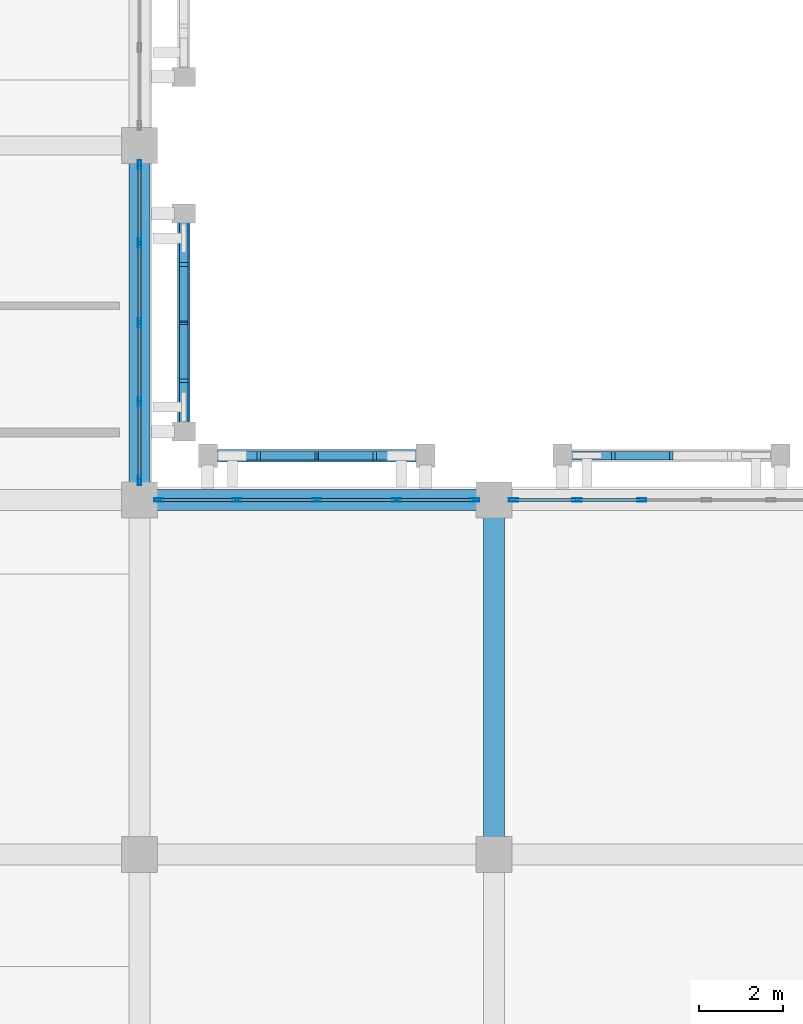
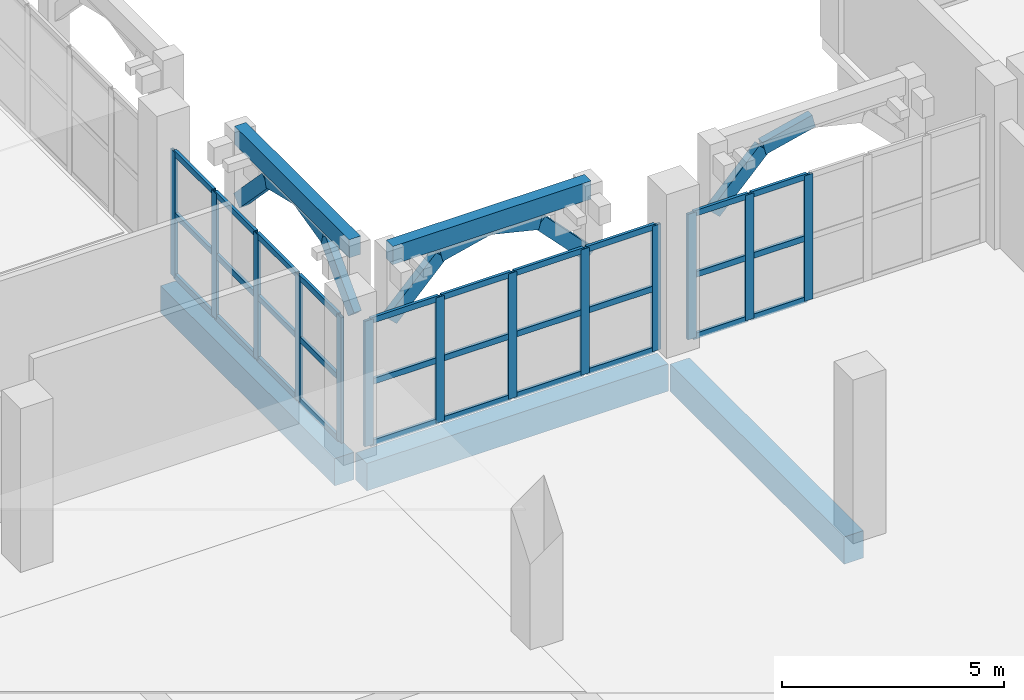
# One storey, part 54 of 137: 53 members, 5 beams, 3 elements without a shape of their own.
"""IFC4 building model written with IfcOpenShell, lengths in metres."""

import ifcopenshell
import ifcopenshell.guid

model = None  # the IFC model being written
_history = None  # IfcOwnerHistory: only IFC2X3 demands one
_inside = {}  # id of a spatial element -> (the spatial element, [elements in it])
_under = {}  # id of a project, library or spatial element -> (it, [spatial elements below it])
_declared = {}  # id of a project -> (the project, [libraries it declares])
_typed = {}  # id of a type object -> (the type object, [elements of that type])
_made_of = {}  # id of a material, layer set ... -> (it, [elements and type objects made of it])


def new_model(schema):
    """Start an empty IFC model of exactly this schema.

    Asked for "IFC4X3", IfcOpenShell would pick the latest addendum, in which some entities
    have other attributes; the version numbers below select the first issue.
    IFC2X3 requires an IfcOwnerHistory on every rooted entity: one is made here for all.
    """
    global model, _history
    if schema == "IFC4X3":
        model = ifcopenshell.file(schema_version=(4, 3, 0, 0))
    else:
        model = ifcopenshell.file(schema=schema)
    _inside.clear()
    _under.clear()
    _declared.clear()
    _typed.clear()
    _made_of.clear()
    _history = None
    if model.schema == "IFC2X3":
        org = make("IfcOrganization", Name="unknown")
        user = make(
            "IfcPersonAndOrganization",
            ThePerson=make("IfcPerson", FamilyName="unknown"),
            TheOrganization=org,
        )
        app = make(
            "IfcApplication",
            ApplicationDeveloper=org,
            Version="unknown",
            ApplicationFullName="unknown",
            ApplicationIdentifier="unknown",
        )
        _history = make(
            "IfcOwnerHistory",
            OwningUser=user,
            OwningApplication=app,
            ChangeAction="ADDED",
            CreationDate=0,
        )
    return model


def make(cls, **values):
    """One entity of the class cls with the attributes given. An attribute that is None is left unset."""
    return model.create_entity(
        cls, **{name: value for name, value in values.items() if value is not None}
    )


def rooted(cls, **values):
    """An entity with a GlobalId (a new one), such as an element, a storey or a relation."""
    return make(cls, GlobalId=ifcopenshell.guid.new(), OwnerHistory=_history, **values)


def si_unit(unit_type, name, prefix=None):
    """IfcSIUnit, for example si_unit("LENGTHUNIT", "METRE", prefix="MILLI")."""
    return make("IfcSIUnit", UnitType=unit_type, Prefix=prefix, Name=name)


def assignment(units):
    """IfcUnitAssignment: the units of a project."""
    return None if units is None else make("IfcUnitAssignment", Units=units)


def point(xyz):
    """IfcCartesianPoint."""
    return None if xyz is None else make("IfcCartesianPoint", Coordinates=xyz)


def direction(xyz):
    """IfcDirection."""
    return None if xyz is None else make("IfcDirection", DirectionRatios=xyz)


def frame(location, z_axis=None, x_axis=None):
    """IfcAxis2Placement3D, a coordinate frame: its origin and axes. An axis left out is left unset."""
    return make(
        "IfcAxis2Placement3D",
        Location=point(location),
        Axis=direction(z_axis),
        RefDirection=direction(x_axis),
    )


def frame_2d(location, x_axis=None):
    """IfcAxis2Placement2D, a coordinate frame in the plane: its origin and x axis."""
    return make(
        "IfcAxis2Placement2D", Location=point(location), RefDirection=direction(x_axis)
    )


def origin():
    """The frame at (0, 0, 0) with its axes left unset."""
    return frame((0.0, 0.0, 0.0))


def origin_2d():
    """The frame at (0, 0) in the plane with its x axis left unset."""
    return frame_2d((0.0, 0.0))


def place(relative_to, where):
    """IfcLocalPlacement: puts the frame where relative to a parent placement (None: the world)."""
    return make(
        "IfcLocalPlacement", PlacementRelTo=relative_to, RelativePlacement=where
    )


def context(
    kind, dimensions, precision=None, world=None, true_north=None, identifier=None
):
    """IfcGeometricRepresentationContext, for example the 3D "Model" context."""
    return make(
        "IfcGeometricRepresentationContext",
        ContextIdentifier=identifier,
        ContextType=kind,
        CoordinateSpaceDimension=dimensions,
        Precision=precision,
        WorldCoordinateSystem=world,
        TrueNorth=true_north,
    )


def subcontext(parent, identifier, kind, view, scale=None):
    """IfcGeometricRepresentationSubContext, for example "Body" below "Model"."""
    return make(
        "IfcGeometricRepresentationSubContext",
        ContextIdentifier=identifier,
        ContextType=kind,
        ParentContext=parent,
        TargetScale=scale,
        TargetView=view,
    )


def project(units=None, contexts=None):
    """IfcProject with its units and contexts."""
    return rooted(
        "IfcProject",
        Name="project",
        RepresentationContexts=contexts,
        UnitsInContext=assignment(units),
    )


def spatial(cls, under=None, at=None, **own):
    """A site, building, storey or space (cls), placed at a placement, below another one or the project."""
    s = rooted(cls, ObjectPlacement=at, **own)
    if under is not None:
        _under.setdefault(under.id(), (under, []))[1].append(s)
    return s


def profile(cls, at=None, kind="AREA", **sizes):
    """A parametric profile (cls). Its sizes go by their IFC names, for example OverallWidth=200.0."""
    return make(cls, ProfileType=kind, Position=at, **sizes)


def rectangle(**sizes):
    """IfcRectangleProfileDef."""
    return profile("IfcRectangleProfileDef", **sizes)


def hollow_rectangle(**sizes):
    """IfcRectangleHollowProfileDef."""
    return profile("IfcRectangleHollowProfileDef", **sizes)


def extrude(swept, where, along, depth):
    """IfcExtrudedAreaSolid: the profile swept, set in the frame where, extruded along a direction by depth."""
    return make(
        "IfcExtrudedAreaSolid",
        SweptArea=swept,
        Position=where,
        ExtrudedDirection=direction(along),
        Depth=depth,
    )


def shape(context_of_items, identifier, shape_type, items):
    """IfcShapeRepresentation: the items that make up one representation, for example the "Body"."""
    return make(
        "IfcShapeRepresentation",
        ContextOfItems=context_of_items,
        RepresentationIdentifier=identifier,
        RepresentationType=shape_type,
        Items=items,
    )


def material(Name=None, Category=None):
    """IfcMaterial."""
    return make("IfcMaterial", Name=Name, Category=Category)


def layer(
    of_material, thickness, ventilated=None, Name=None, Category=None, Priority=None
):
    """IfcMaterialLayer: one layer of a wall or slab, of a material (None: an air gap)."""
    return make(
        "IfcMaterialLayer",
        Material=of_material,
        LayerThickness=thickness,
        IsVentilated=ventilated,
        Name=Name,
        Category=Category,
        Priority=Priority,
    )


def layer_set(layers, Name=None):
    """IfcMaterialLayerSet."""
    return make("IfcMaterialLayerSet", MaterialLayers=layers, LayerSetName=Name)


def material_profile(
    of_material, cross_section, Name=None, Category=None, Priority=None
):
    """IfcMaterialProfile: a cross section and its material."""
    return make(
        "IfcMaterialProfile",
        Name=Name,
        Material=of_material,
        Profile=cross_section,
        Priority=Priority,
        Category=Category,
    )


def profile_set(profiles, Name=None, composite=None):
    """IfcMaterialProfileSet."""
    return make(
        "IfcMaterialProfileSet",
        Name=Name,
        MaterialProfiles=profiles,
        CompositeProfile=composite,
    )


def made_of(thing, what):
    """Note that an element or type object is made of a material, layer set ...; save() writes the relation."""
    if what is not None:
        _made_of.setdefault(what.id(), (what, []))[1].append(thing)
    return thing


def type_object(cls, material=None, **own):
    """A type object (cls), such as IfcWallType, which elements share."""
    return made_of(rooted(cls, **own), material)


def element(
    cls,
    number,
    at=None,
    inside=None,
    cuts=None,
    type_object=None,
    material=None,
    context=None,
    identifier="Body",
    shape_type=None,
    held_by="IfcProductDefinitionShape",
    body=None,
    shapes=None,
    **own,
):
    """One element of the class cls, such as IfcWall. Its Tag is "e" and its number.

    at: its placement. inside: the storey or other place that contains it. cuts: it is an
    opening in that element (IfcRelVoidsElement). A single representation is given by context,
    identifier, shape_type and body (its items); several are given by shapes. held_by: the class
    of the entity that holds the representations. save() writes the other relations.
    """
    e = rooted(cls, Tag="e%d" % number, ObjectPlacement=at, **own)
    if body is not None:
        shapes = [shape(context, identifier, shape_type, body)]
    if shapes is not None:
        e.Representation = make(held_by, Representations=shapes)
    if inside is not None:
        _inside.setdefault(inside.id(), (inside, []))[1].append(e)
    if cuts is not None:
        rooted(
            "IfcRelVoidsElement", RelatingBuildingElement=cuts, RelatedOpeningElement=e
        )
    if type_object is not None:
        _typed.setdefault(type_object.id(), (type_object, []))[1].append(e)
    return made_of(e, material)


def aggregate(whole, parts):
    """IfcRelAggregates: a whole, such as a stair, and the parts it consists of."""
    return rooted("IfcRelAggregates", RelatingObject=whole, RelatedObjects=parts)


def save(model, path):
    """Write the relations noted so far, then the file.

    IfcRelAggregates (storeys below a building ...), IfcRelContainedInSpatialStructure (elements
    in a storey), IfcRelDefinesByType, IfcRelAssociatesMaterial and IfcRelDeclares: one each for
    every whole, place, type object, material and project.
    """
    for whole, parts in _under.values():
        aggregate(whole, parts)
    for where, things in _inside.values():
        rooted(
            "IfcRelContainedInSpatialStructure",
            RelatedElements=things,
            RelatingStructure=where,
        )
    for kind, things in _typed.values():
        rooted("IfcRelDefinesByType", RelatedObjects=things, RelatingType=kind)
    for what, things in _made_of.values():
        rooted("IfcRelAssociatesMaterial", RelatedObjects=things, RelatingMaterial=what)
    for by, libraries in _declared.values():
        rooted("IfcRelDeclares", RelatingContext=by, RelatedDefinitions=libraries)
    model.write(path)


model = new_model("IFC4")

# Units and contexts
model_context = context("Model", 3, precision=1e-05, world=origin(), true_north=direction((0.0, 1.0)))
body_context = subcontext(model_context, "Body", "Model", "MODEL_VIEW")
ifc_project = project(units=[si_unit("LENGTHUNIT", "METRE"), si_unit("AREAUNIT", "SQUARE_METRE"), si_unit("VOLUMEUNIT", "CUBIC_METRE"), si_unit("PLANEANGLEUNIT", "RADIAN"), si_unit("MASSUNIT", "GRAM", prefix="KILO")], contexts=[model_context])

# Site, building, storey
site_placement = place(None, origin())
site = spatial("IfcSite", under=ifc_project, at=site_placement, CompositionType="ELEMENT")
building_placement = place(site_placement, origin())
building = spatial("IfcBuilding", under=site, at=building_placement, Name="Xazarin Passage Department Store", CompositionType="ELEMENT")
storey_placement = place(building_placement, frame((0.0, 0.0, 5.39990234375)))
storey = spatial("IfcBuildingStorey", under=building, at=storey_placement, Name="L01", CompositionType="ELEMENT", Elevation=5.39990234375)

# Curtain wall, members
ifc_material_1 = material(Name="Bronze anodised aluminium", Category="aluminium")
ifc_layer = layer(ifc_material_1, 0.179931640625)
ifc_layer_set = layer_set([ifc_layer], Name="Bronze anodised aluminium")
curtain_wall_type = type_object("IfcCurtainWallType", Name="ARC-CW-VIT1", PredefinedType="NOTDEFINED", material=ifc_layer_set)
curtain_wall_1_placement = place(storey_placement, origin())
curtain_wall_1 = element("IfcCurtainWall", 1, at=curtain_wall_1_placement, inside=storey, type_object=curtain_wall_type, Name="L01 V1 Curtain Wall 010", PredefinedType="NOTDEFINED")
ifc_material_profile_1 = material_profile(ifc_material_1, hollow_rectangle(XDim=0.074951171875, YDim=0.219970703125, WallThickness=0.0048828125, at=origin_2d()), Name="ALU 75x220")
ifc_profile_set_1 = profile_set([ifc_material_profile_1], Name="Bronze anodised aluminium")
member_type_1 = type_object("IfcMemberType", Name="ARC-CWM-75x220", PredefinedType="MULLION", material=ifc_profile_set_1)
member_1_placement = place(storey_placement, frame((50.862548828125, 84.800048828125, 0.0), z_axis=(0.0, 0.0, 1.0), x_axis=(0.0, 1.0, 0.0)))
member_1 = element("IfcMember", 2, at=member_1_placement, type_object=member_type_1, Name="CW1 mullion 1", PredefinedType="MULLION", context=body_context, shape_type="SweptSolid", body=[
    extrude(hollow_rectangle(XDim=0.074951171875, YDim=0.219970703125, WallThickness=0.0048828125, at=origin_2d()), origin(), (0.0, 0.0, 1.0), 3.4501953125),
])
member_2_placement = place(storey_placement, frame((52.71240234375, 84.800048828125, 0.0), z_axis=(0.0, 0.0, 1.0), x_axis=(0.0, 1.0, 0.0)))
member_2 = element("IfcMember", 3, at=member_2_placement, type_object=member_type_1, Name="CW1 mullion 2", PredefinedType="MULLION", context=body_context, shape_type="SweptSolid", body=[
    extrude(hollow_rectangle(XDim=0.074951171875, YDim=0.219970703125, WallThickness=0.0048828125, at=origin_2d()), origin(), (0.0, 0.0, 1.0), 3.4501953125),
])
member_3_placement = place(storey_placement, frame((54.60009765625, 84.800048828125, 0.0), z_axis=(0.0, 0.0, 1.0), x_axis=(0.0, 1.0, 0.0)))
member_3 = element("IfcMember", 4, at=member_3_placement, type_object=member_type_1, Name="CW1 mullion 3", PredefinedType="MULLION", context=body_context, shape_type="SweptSolid", body=[
    extrude(hollow_rectangle(XDim=0.074951171875, YDim=0.219970703125, WallThickness=0.0048828125, at=origin_2d()), origin(), (0.0, 0.0, 1.0), 3.4501953125),
])
member_4_placement = place(storey_placement, frame((56.487548828125, 84.800048828125, 0.0), z_axis=(0.0, 0.0, 1.0), x_axis=(0.0, 1.0, 0.0)))
member_4 = element("IfcMember", 5, at=member_4_placement, type_object=member_type_1, Name="CW1 mullion 4", PredefinedType="MULLION", context=body_context, shape_type="SweptSolid", body=[
    extrude(hollow_rectangle(XDim=0.074951171875, YDim=0.219970703125, WallThickness=0.0048828125, at=origin_2d()), origin(), (0.0, 0.0, 1.0), 3.4501953125),
])
member_5_placement = place(storey_placement, frame((58.33740234375, 84.800048828125, 0.0), z_axis=(0.0, 0.0, 1.0), x_axis=(0.0, 1.0, 0.0)))
member_5 = element("IfcMember", 6, at=member_5_placement, type_object=member_type_1, Name="CW1 mullion 5", PredefinedType="MULLION", context=body_context, shape_type="SweptSolid", body=[
    extrude(hollow_rectangle(XDim=0.074951171875, YDim=0.219970703125, WallThickness=0.0048828125, at=origin_2d()), origin(), (0.0, 0.0, 1.0), 3.4501953125),
])

curtain_wall_2_placement = place(storey_placement, origin())
curtain_wall_2 = element("IfcCurtainWall", 7, at=curtain_wall_2_placement, inside=storey, type_object=curtain_wall_type, Name="L01 V1 Curtain Wall 011", PredefinedType="NOTDEFINED")
member_6_placement = place(storey_placement, frame((59.262451171875, 84.800048828125, 0.0), z_axis=(0.0, 0.0, 1.0), x_axis=(0.0, 1.0, 0.0)))
member_6 = element("IfcMember", 8, at=member_6_placement, type_object=member_type_1, Name="CW1 mullion 1", PredefinedType="MULLION", context=body_context, shape_type="SweptSolid", body=[
    extrude(hollow_rectangle(XDim=0.074951171875, YDim=0.219970703125, WallThickness=0.0048828125, at=origin_2d()), origin(), (0.0, 0.0, 1.0), 3.4501953125),
])
member_7_placement = place(storey_placement, frame((60.760009765625, 84.800048828125, 0.0), z_axis=(0.0, 0.0, 1.0), x_axis=(0.0, 1.0, 0.0)))
member_7 = element("IfcMember", 9, at=member_7_placement, type_object=member_type_1, Name="CW1 mullion 2", PredefinedType="MULLION", context=body_context, shape_type="SweptSolid", body=[
    extrude(hollow_rectangle(XDim=0.074951171875, YDim=0.219970703125, WallThickness=0.0048828125, at=origin_2d()), origin(), (0.0, 0.0, 1.0), 3.4501953125),
])
member_8_placement = place(storey_placement, frame((62.294921875, 84.800048828125, 0.0), z_axis=(0.0, 0.0, 1.0), x_axis=(0.0, 1.0, 0.0)))
member_8 = element("IfcMember", 10, at=member_8_placement, type_object=member_type_1, Name="CW1 mullion 3", PredefinedType="MULLION", context=body_context, shape_type="SweptSolid", body=[
    extrude(hollow_rectangle(XDim=0.074951171875, YDim=0.219970703125, WallThickness=0.0048828125, at=origin_2d()), origin(), (0.0, 0.0, 1.0), 3.4501953125),
])

curtain_wall_3_placement = place(storey_placement, origin())
curtain_wall_3 = element("IfcCurtainWall", 11, at=curtain_wall_3_placement, inside=storey, type_object=curtain_wall_type, Name="L01 V1 Curtain Wall 026", PredefinedType="NOTDEFINED")
member_9_placement = place(storey_placement, frame((50.39990234375, 85.262451171875, 0.0), z_axis=(0.0, 0.0, 1.0), x_axis=(-1.0, 0.0, 0.0)))
member_9 = element("IfcMember", 12, at=member_9_placement, type_object=member_type_1, Name="CW1 mullion 1", PredefinedType="MULLION", context=body_context, shape_type="SweptSolid", body=[
    extrude(hollow_rectangle(XDim=0.074951171875, YDim=0.219970703125, WallThickness=0.0048828125, at=origin_2d()), origin(), (0.0, 0.0, 1.0), 3.4501953125),
])
member_10_placement = place(storey_placement, frame((50.39990234375, 87.112548828125, 0.0), z_axis=(0.0, 0.0, 1.0), x_axis=(-1.0, 0.0, 0.0)))
member_10 = element("IfcMember", 13, at=member_10_placement, type_object=member_type_1, Name="CW1 mullion 2", PredefinedType="MULLION", context=body_context, shape_type="SweptSolid", body=[
    extrude(hollow_rectangle(XDim=0.074951171875, YDim=0.219970703125, WallThickness=0.0048828125, at=origin_2d()), origin(), (0.0, 0.0, 1.0), 3.4501953125),
])
member_11_placement = place(storey_placement, frame((50.39990234375, 89.0, 0.0), z_axis=(0.0, 0.0, 1.0), x_axis=(-1.0, 0.0, 0.0)))
member_11 = element("IfcMember", 14, at=member_11_placement, type_object=member_type_1, Name="CW1 mullion 3", PredefinedType="MULLION", context=body_context, shape_type="SweptSolid", body=[
    extrude(hollow_rectangle(XDim=0.074951171875, YDim=0.219970703125, WallThickness=0.0048828125, at=origin_2d()), origin(), (0.0, 0.0, 1.0), 3.4501953125),
])
member_12_placement = place(storey_placement, frame((50.39990234375, 90.887451171875, 0.0), z_axis=(0.0, 0.0, 1.0), x_axis=(-1.0, 0.0, 0.0)))
member_12 = element("IfcMember", 15, at=member_12_placement, type_object=member_type_1, Name="CW1 mullion 4", PredefinedType="MULLION", context=body_context, shape_type="SweptSolid", body=[
    extrude(hollow_rectangle(XDim=0.074951171875, YDim=0.219970703125, WallThickness=0.0048828125, at=origin_2d()), origin(), (0.0, 0.0, 1.0), 3.4501953125),
])
member_13_placement = place(storey_placement, frame((50.39990234375, 92.737548828125, 0.0), z_axis=(0.0, 0.0, 1.0), x_axis=(-1.0, 0.0, 0.0)))
member_13 = element("IfcMember", 16, at=member_13_placement, type_object=member_type_1, Name="CW1 mullion 5", PredefinedType="MULLION", context=body_context, shape_type="SweptSolid", body=[
    extrude(hollow_rectangle(XDim=0.074951171875, YDim=0.219970703125, WallThickness=0.0048828125, at=origin_2d()), origin(), (0.0, 0.0, 1.0), 3.4501953125),
])

# Member
ifc_material_profile_2 = material_profile(ifc_material_1, hollow_rectangle(XDim=0.074951171875, YDim=0.159912109375, WallThickness=0.00439453125, at=origin_2d()), Name="ALU 75x160")
ifc_profile_set_2 = profile_set([ifc_material_profile_2], Name="Bronze anodised aluminium")
member_type_2 = type_object("IfcMemberType", Name="ARC-CWT-75x160", PredefinedType="USERDEFINED", material=ifc_profile_set_2)
member_14_placement = place(storey_placement, frame((50.89990234375, 84.800048828125, 0.03759765625), z_axis=(1.0, 0.0, 0.0), x_axis=(0.0, 1.0, 0.0)))
member_14 = element("IfcMember", 17, at=member_14_placement, type_object=member_type_2, Name="CW1 transom 1.1", ObjectType="TRANSOM", PredefinedType="USERDEFINED", context=body_context, shape_type="SweptSolid", body=[
    extrude(hollow_rectangle(XDim=0.074951171875, YDim=0.159912109375, WallThickness=0.00439453125, at=origin_2d()), origin(), (0.0, 0.0, 1.0), 1.775146484375),
])

member_15_placement = place(storey_placement, frame((50.89990234375, 84.800048828125, 1.72509765625), z_axis=(1.0, 0.0, 0.0), x_axis=(0.0, 1.0, 0.0)))
member_15 = element("IfcMember", 18, at=member_15_placement, type_object=member_type_2, Name="CW1 transom 1.2", ObjectType="TRANSOM", PredefinedType="USERDEFINED", context=body_context, shape_type="SweptSolid", body=[
    extrude(hollow_rectangle(XDim=0.074951171875, YDim=0.159912109375, WallThickness=0.00439453125, at=origin_2d()), origin(), (0.0, 0.0, 1.0), 1.775146484375),
])

member_16_placement = place(storey_placement, frame((50.89990234375, 84.800048828125, 3.41259765625), z_axis=(1.0, 0.0, 0.0), x_axis=(0.0, 1.0, 0.0)))
member_16 = element("IfcMember", 19, at=member_16_placement, type_object=member_type_2, Name="CW1 transom 1.3", ObjectType="TRANSOM", PredefinedType="USERDEFINED", context=body_context, shape_type="SweptSolid", body=[
    extrude(hollow_rectangle(XDim=0.074951171875, YDim=0.159912109375, WallThickness=0.00439453125, at=origin_2d()), origin(), (0.0, 0.0, 1.0), 1.775146484375),
])

member_17_placement = place(storey_placement, frame((52.75, 84.800048828125, 0.03759765625), z_axis=(1.0, 0.0, 0.0), x_axis=(0.0, 1.0, 0.0)))
member_17 = element("IfcMember", 20, at=member_17_placement, type_object=member_type_2, Name="CW1 transom 2.1", ObjectType="TRANSOM", PredefinedType="USERDEFINED", context=body_context, shape_type="SweptSolid", body=[
    extrude(hollow_rectangle(XDim=0.074951171875, YDim=0.159912109375, WallThickness=0.00439453125, at=origin_2d()), origin(), (0.0, 0.0, 1.0), 1.8125),
])

member_18_placement = place(storey_placement, frame((52.75, 84.800048828125, 1.72509765625), z_axis=(1.0, 0.0, 0.0), x_axis=(0.0, 1.0, 0.0)))
member_18 = element("IfcMember", 21, at=member_18_placement, type_object=member_type_2, Name="CW1 transom 2.2", ObjectType="TRANSOM", PredefinedType="USERDEFINED", context=body_context, shape_type="SweptSolid", body=[
    extrude(hollow_rectangle(XDim=0.074951171875, YDim=0.159912109375, WallThickness=0.00439453125, at=origin_2d()), origin(), (0.0, 0.0, 1.0), 1.8125),
])

member_19_placement = place(storey_placement, frame((52.75, 84.800048828125, 3.41259765625), z_axis=(1.0, 0.0, 0.0), x_axis=(0.0, 1.0, 0.0)))
member_19 = element("IfcMember", 22, at=member_19_placement, type_object=member_type_2, Name="CW1 transom 2.3", ObjectType="TRANSOM", PredefinedType="USERDEFINED", context=body_context, shape_type="SweptSolid", body=[
    extrude(hollow_rectangle(XDim=0.074951171875, YDim=0.159912109375, WallThickness=0.00439453125, at=origin_2d()), origin(), (0.0, 0.0, 1.0), 1.8125),
])

member_20_placement = place(storey_placement, frame((54.637451171875, 84.800048828125, 0.03759765625), z_axis=(1.0, 0.0, 0.0), x_axis=(0.0, 1.0, 0.0)))
member_20 = element("IfcMember", 23, at=member_20_placement, type_object=member_type_2, Name="CW1 transom 3.1", ObjectType="TRANSOM", PredefinedType="USERDEFINED", context=body_context, shape_type="SweptSolid", body=[
    extrude(hollow_rectangle(XDim=0.074951171875, YDim=0.159912109375, WallThickness=0.00439453125, at=origin_2d()), origin(), (0.0, 0.0, 1.0), 1.8125),
])

member_21_placement = place(storey_placement, frame((54.637451171875, 84.800048828125, 1.72509765625), z_axis=(1.0, 0.0, 0.0), x_axis=(0.0, 1.0, 0.0)))
member_21 = element("IfcMember", 24, at=member_21_placement, type_object=member_type_2, Name="CW1 transom 3.2", ObjectType="TRANSOM", PredefinedType="USERDEFINED", context=body_context, shape_type="SweptSolid", body=[
    extrude(hollow_rectangle(XDim=0.074951171875, YDim=0.159912109375, WallThickness=0.00439453125, at=origin_2d()), origin(), (0.0, 0.0, 1.0), 1.8125),
])

member_22_placement = place(storey_placement, frame((54.637451171875, 84.800048828125, 3.41259765625), z_axis=(1.0, 0.0, 0.0), x_axis=(0.0, 1.0, 0.0)))
member_22 = element("IfcMember", 25, at=member_22_placement, type_object=member_type_2, Name="CW1 transom 3.3", ObjectType="TRANSOM", PredefinedType="USERDEFINED", context=body_context, shape_type="SweptSolid", body=[
    extrude(hollow_rectangle(XDim=0.074951171875, YDim=0.159912109375, WallThickness=0.00439453125, at=origin_2d()), origin(), (0.0, 0.0, 1.0), 1.8125),
])

member_23_placement = place(storey_placement, frame((56.52490234375, 84.800048828125, 0.03759765625), z_axis=(1.0, 0.0, 0.0), x_axis=(0.0, 1.0, 0.0)))
member_23 = element("IfcMember", 26, at=member_23_placement, type_object=member_type_2, Name="CW1 transom 4.1", ObjectType="TRANSOM", PredefinedType="USERDEFINED", context=body_context, shape_type="SweptSolid", body=[
    extrude(hollow_rectangle(XDim=0.074951171875, YDim=0.159912109375, WallThickness=0.00439453125, at=origin_2d()), origin(), (0.0, 0.0, 1.0), 1.775146484375),
])

member_24_placement = place(storey_placement, frame((56.52490234375, 84.800048828125, 1.72509765625), z_axis=(1.0, 0.0, 0.0), x_axis=(0.0, 1.0, 0.0)))
member_24 = element("IfcMember", 27, at=member_24_placement, type_object=member_type_2, Name="CW1 transom 4.2", ObjectType="TRANSOM", PredefinedType="USERDEFINED", context=body_context, shape_type="SweptSolid", body=[
    extrude(hollow_rectangle(XDim=0.074951171875, YDim=0.159912109375, WallThickness=0.00439453125, at=origin_2d()), origin(), (0.0, 0.0, 1.0), 1.775146484375),
])

member_25_placement = place(storey_placement, frame((56.52490234375, 84.800048828125, 3.41259765625), z_axis=(1.0, 0.0, 0.0), x_axis=(0.0, 1.0, 0.0)))
member_25 = element("IfcMember", 28, at=member_25_placement, type_object=member_type_2, Name="CW1 transom 4.3", ObjectType="TRANSOM", PredefinedType="USERDEFINED", context=body_context, shape_type="SweptSolid", body=[
    extrude(hollow_rectangle(XDim=0.074951171875, YDim=0.159912109375, WallThickness=0.00439453125, at=origin_2d()), origin(), (0.0, 0.0, 1.0), 1.775146484375),
])

aggregate(curtain_wall_1, [member_1, member_2, member_3, member_4, member_5, member_14, member_15, member_16, member_17, member_18, member_19, member_20, member_21, member_22, member_23, member_24, member_25])

member_26_placement = place(storey_placement, frame((59.300048828125, 84.800048828125, 0.03759765625), z_axis=(1.0, 0.0, 0.0), x_axis=(0.0, 1.0, 0.0)))
member_26 = element("IfcMember", 29, at=member_26_placement, type_object=member_type_2, Name="CW1 transom 1.1", ObjectType="TRANSOM", PredefinedType="USERDEFINED", context=body_context, shape_type="SweptSolid", body=[
    extrude(hollow_rectangle(XDim=0.074951171875, YDim=0.159912109375, WallThickness=0.00439453125, at=origin_2d()), origin(), (0.0, 0.0, 1.0), 1.42236328125),
])

member_27_placement = place(storey_placement, frame((59.300048828125, 84.800048828125, 1.72509765625), z_axis=(1.0, 0.0, 0.0), x_axis=(0.0, 1.0, 0.0)))
member_27 = element("IfcMember", 30, at=member_27_placement, type_object=member_type_2, Name="CW1 transom 1.2", ObjectType="TRANSOM", PredefinedType="USERDEFINED", context=body_context, shape_type="SweptSolid", body=[
    extrude(hollow_rectangle(XDim=0.074951171875, YDim=0.159912109375, WallThickness=0.00439453125, at=origin_2d()), origin(), (0.0, 0.0, 1.0), 1.42236328125),
])

member_28_placement = place(storey_placement, frame((59.300048828125, 84.800048828125, 3.41259765625), z_axis=(1.0, 0.0, 0.0), x_axis=(0.0, 1.0, 0.0)))
member_28 = element("IfcMember", 31, at=member_28_placement, type_object=member_type_2, Name="CW1 transom 1.3", ObjectType="TRANSOM", PredefinedType="USERDEFINED", context=body_context, shape_type="SweptSolid", body=[
    extrude(hollow_rectangle(XDim=0.074951171875, YDim=0.159912109375, WallThickness=0.00439453125, at=origin_2d()), origin(), (0.0, 0.0, 1.0), 1.42236328125),
])

member_29_placement = place(storey_placement, frame((60.797607421875, 84.800048828125, 0.03759765625), z_axis=(1.0, 0.0, 0.0), x_axis=(0.0, 1.0, 0.0)))
member_29 = element("IfcMember", 32, at=member_29_placement, type_object=member_type_2, Name="CW1 transom 2.1", ObjectType="TRANSOM", PredefinedType="USERDEFINED", context=body_context, shape_type="SweptSolid", body=[
    extrude(hollow_rectangle(XDim=0.074951171875, YDim=0.159912109375, WallThickness=0.00439453125, at=origin_2d()), origin(), (0.0, 0.0, 1.0), 1.4599609375),
])

member_30_placement = place(storey_placement, frame((60.797607421875, 84.800048828125, 1.72509765625), z_axis=(1.0, 0.0, 0.0), x_axis=(0.0, 1.0, 0.0)))
member_30 = element("IfcMember", 33, at=member_30_placement, type_object=member_type_2, Name="CW1 transom 2.2", ObjectType="TRANSOM", PredefinedType="USERDEFINED", context=body_context, shape_type="SweptSolid", body=[
    extrude(hollow_rectangle(XDim=0.074951171875, YDim=0.159912109375, WallThickness=0.00439453125, at=origin_2d()), origin(), (0.0, 0.0, 1.0), 1.4599609375),
])

member_31_placement = place(storey_placement, frame((60.797607421875, 84.800048828125, 3.41259765625), z_axis=(1.0, 0.0, 0.0), x_axis=(0.0, 1.0, 0.0)))
member_31 = element("IfcMember", 34, at=member_31_placement, type_object=member_type_2, Name="CW1 transom 2.3", ObjectType="TRANSOM", PredefinedType="USERDEFINED", context=body_context, shape_type="SweptSolid", body=[
    extrude(hollow_rectangle(XDim=0.074951171875, YDim=0.159912109375, WallThickness=0.00439453125, at=origin_2d()), origin(), (0.0, 0.0, 1.0), 1.4599609375),
])

aggregate(curtain_wall_2, [member_6, member_7, member_8, member_26, member_27, member_28, member_29, member_30, member_31])

member_32_placement = place(storey_placement, frame((50.39990234375, 85.300048828125, 0.03759765625), z_axis=(0.0, 1.0, 0.0), x_axis=(-1.0, 0.0, 0.0)))
member_32 = element("IfcMember", 35, at=member_32_placement, type_object=member_type_2, Name="CW1 transom 1.1", ObjectType="TRANSOM", PredefinedType="USERDEFINED", context=body_context, shape_type="SweptSolid", body=[
    extrude(hollow_rectangle(XDim=0.074951171875, YDim=0.159912109375, WallThickness=0.00439453125, at=origin_2d()), origin(), (0.0, 0.0, 1.0), 1.77490234375),
])

member_33_placement = place(storey_placement, frame((50.39990234375, 85.300048828125, 1.72509765625), z_axis=(0.0, 1.0, 0.0), x_axis=(-1.0, 0.0, 0.0)))
member_33 = element("IfcMember", 36, at=member_33_placement, type_object=member_type_2, Name="CW1 transom 1.2", ObjectType="TRANSOM", PredefinedType="USERDEFINED", context=body_context, shape_type="SweptSolid", body=[
    extrude(hollow_rectangle(XDim=0.074951171875, YDim=0.159912109375, WallThickness=0.00439453125, at=origin_2d()), origin(), (0.0, 0.0, 1.0), 1.77490234375),
])

member_34_placement = place(storey_placement, frame((50.39990234375, 85.300048828125, 3.41259765625), z_axis=(0.0, 1.0, 0.0), x_axis=(-1.0, 0.0, 0.0)))
member_34 = element("IfcMember", 37, at=member_34_placement, type_object=member_type_2, Name="CW1 transom 1.3", ObjectType="TRANSOM", PredefinedType="USERDEFINED", context=body_context, shape_type="SweptSolid", body=[
    extrude(hollow_rectangle(XDim=0.074951171875, YDim=0.159912109375, WallThickness=0.00439453125, at=origin_2d()), origin(), (0.0, 0.0, 1.0), 1.77490234375),
])

member_35_placement = place(storey_placement, frame((50.39990234375, 87.14990234375, 0.03759765625), z_axis=(0.0, 1.0, 0.0), x_axis=(-1.0, 0.0, 0.0)))
member_35 = element("IfcMember", 38, at=member_35_placement, type_object=member_type_2, Name="CW1 transom 2.1", ObjectType="TRANSOM", PredefinedType="USERDEFINED", context=body_context, shape_type="SweptSolid", body=[
    extrude(hollow_rectangle(XDim=0.074951171875, YDim=0.159912109375, WallThickness=0.00439453125, at=origin_2d()), origin(), (0.0, 0.0, 1.0), 1.8125),
])

member_36_placement = place(storey_placement, frame((50.39990234375, 87.14990234375, 1.72509765625), z_axis=(0.0, 1.0, 0.0), x_axis=(-1.0, 0.0, 0.0)))
member_36 = element("IfcMember", 39, at=member_36_placement, type_object=member_type_2, Name="CW1 transom 2.2", ObjectType="TRANSOM", PredefinedType="USERDEFINED", context=body_context, shape_type="SweptSolid", body=[
    extrude(hollow_rectangle(XDim=0.074951171875, YDim=0.159912109375, WallThickness=0.00439453125, at=origin_2d()), origin(), (0.0, 0.0, 1.0), 1.8125),
])

member_37_placement = place(storey_placement, frame((50.39990234375, 87.14990234375, 3.41259765625), z_axis=(0.0, 1.0, 0.0), x_axis=(-1.0, 0.0, 0.0)))
member_37 = element("IfcMember", 40, at=member_37_placement, type_object=member_type_2, Name="CW1 transom 2.3", ObjectType="TRANSOM", PredefinedType="USERDEFINED", context=body_context, shape_type="SweptSolid", body=[
    extrude(hollow_rectangle(XDim=0.074951171875, YDim=0.159912109375, WallThickness=0.00439453125, at=origin_2d()), origin(), (0.0, 0.0, 1.0), 1.8125),
])

member_38_placement = place(storey_placement, frame((50.39990234375, 89.03759765625, 0.03759765625), z_axis=(0.0, 1.0, 0.0), x_axis=(-1.0, 0.0, 0.0)))
member_38 = element("IfcMember", 41, at=member_38_placement, type_object=member_type_2, Name="CW1 transom 3.1", ObjectType="TRANSOM", PredefinedType="USERDEFINED", context=body_context, shape_type="SweptSolid", body=[
    extrude(hollow_rectangle(XDim=0.074951171875, YDim=0.159912109375, WallThickness=0.00439453125, at=origin_2d()), origin(), (0.0, 0.0, 1.0), 1.8125),
])

member_39_placement = place(storey_placement, frame((50.39990234375, 89.03759765625, 1.72509765625), z_axis=(0.0, 1.0, 0.0), x_axis=(-1.0, 0.0, 0.0)))
member_39 = element("IfcMember", 42, at=member_39_placement, type_object=member_type_2, Name="CW1 transom 3.2", ObjectType="TRANSOM", PredefinedType="USERDEFINED", context=body_context, shape_type="SweptSolid", body=[
    extrude(hollow_rectangle(XDim=0.074951171875, YDim=0.159912109375, WallThickness=0.00439453125, at=origin_2d()), origin(), (0.0, 0.0, 1.0), 1.8125),
])

member_40_placement = place(storey_placement, frame((50.39990234375, 89.03759765625, 3.41259765625), z_axis=(0.0, 1.0, 0.0), x_axis=(-1.0, 0.0, 0.0)))
member_40 = element("IfcMember", 43, at=member_40_placement, type_object=member_type_2, Name="CW1 transom 3.3", ObjectType="TRANSOM", PredefinedType="USERDEFINED", context=body_context, shape_type="SweptSolid", body=[
    extrude(hollow_rectangle(XDim=0.074951171875, YDim=0.159912109375, WallThickness=0.00439453125, at=origin_2d()), origin(), (0.0, 0.0, 1.0), 1.8125),
])

member_41_placement = place(storey_placement, frame((50.39990234375, 90.925048828125, 0.03759765625), z_axis=(0.0, 1.0, 0.0), x_axis=(-1.0, 0.0, 0.0)))
member_41 = element("IfcMember", 44, at=member_41_placement, type_object=member_type_2, Name="CW1 transom 4.1", ObjectType="TRANSOM", PredefinedType="USERDEFINED", context=body_context, shape_type="SweptSolid", body=[
    extrude(hollow_rectangle(XDim=0.074951171875, YDim=0.159912109375, WallThickness=0.00439453125, at=origin_2d()), origin(), (0.0, 0.0, 1.0), 1.77490234375),
])

member_42_placement = place(storey_placement, frame((50.39990234375, 90.925048828125, 1.72509765625), z_axis=(0.0, 1.0, 0.0), x_axis=(-1.0, 0.0, 0.0)))
member_42 = element("IfcMember", 45, at=member_42_placement, type_object=member_type_2, Name="CW1 transom 4.2", ObjectType="TRANSOM", PredefinedType="USERDEFINED", context=body_context, shape_type="SweptSolid", body=[
    extrude(hollow_rectangle(XDim=0.074951171875, YDim=0.159912109375, WallThickness=0.00439453125, at=origin_2d()), origin(), (0.0, 0.0, 1.0), 1.77490234375),
])

member_43_placement = place(storey_placement, frame((50.39990234375, 90.925048828125, 3.41259765625), z_axis=(0.0, 1.0, 0.0), x_axis=(-1.0, 0.0, 0.0)))
member_43 = element("IfcMember", 46, at=member_43_placement, type_object=member_type_2, Name="CW1 transom 4.3", ObjectType="TRANSOM", PredefinedType="USERDEFINED", context=body_context, shape_type="SweptSolid", body=[
    extrude(hollow_rectangle(XDim=0.074951171875, YDim=0.159912109375, WallThickness=0.00439453125, at=origin_2d()), origin(), (0.0, 0.0, 1.0), 1.77490234375),
])

aggregate(curtain_wall_3, [member_9, member_10, member_11, member_12, member_13, member_32, member_33, member_34, member_35, member_36, member_37, member_38, member_39, member_40, member_41, member_42, member_43])

# Beams
ifc_material_2 = material(Name="Concrete C35/45", Category="concrete")
ifc_material_profile_3 = material_profile(ifc_material_2, rectangle(XDim=0.300048828125, YDim=0.5, at=origin_2d()), Name="RC 300x500")
ifc_profile_set_3 = profile_set([ifc_material_profile_3], Name="Concrete C35/45")
beam_type_1 = type_object("IfcBeamType", Name="STR-BM-LN300x500", PredefinedType="LINTEL", material=ifc_profile_set_3)
beam_1_placement = place(storey_placement, frame((52.02001953125, 85.85009765625, 4.25), z_axis=(1.0, 0.0, 0.0), x_axis=(0.0, 1.0, 0.0)))
element("IfcBeam", 47, at=beam_1_placement, inside=storey, type_object=beam_type_1, Name="L01 V1 Colonnade Spandrel Beam 005", PredefinedType="LINTEL", context=body_context, shape_type="SweptSolid", body=[
    extrude(rectangle(XDim=0.300048828125, YDim=0.5, at=origin_2d()), origin(), (0.0, 0.0, 1.0), 5.159912109375),
])
beam_2_placement = place(storey_placement, frame((51.449951171875, 86.419921875, 4.25), z_axis=(0.0, 1.0, 0.0), x_axis=(-1.0, 0.0, 0.0)))
element("IfcBeam", 48, at=beam_2_placement, inside=storey, type_object=beam_type_1, Name="L01 V1 Colonnade Spandrel Beam 014", PredefinedType="LINTEL", context=body_context, shape_type="SweptSolid", body=[
    extrude(rectangle(XDim=0.300048828125, YDim=0.5, at=origin_2d()), origin(), (0.0, 0.0, 1.0), 5.16015625),
])
ifc_material_profile_4 = material_profile(ifc_material_2, rectangle(XDim=0.5, YDim=0.75, at=origin_2d()), Name="RC 500x750")
ifc_profile_set_4 = profile_set([ifc_material_profile_4], Name="Concrete C35/45")
beam_type_2 = type_object("IfcBeamType", Name="STR-BM-SP500x750", PredefinedType="SPANDREL", material=ifc_profile_set_4)
beam_3_placement = place(storey_placement, frame((50.679931640625, 84.800048828125, -0.6748046875), z_axis=(1.0, 0.0, 0.0), x_axis=(0.0, 1.0, 0.0)))
element("IfcBeam", 49, at=beam_3_placement, inside=storey, type_object=beam_type_2, Name="L01 Grid Beam M/7-8", PredefinedType="SPANDREL", context=body_context, shape_type="SweptSolid", body=[
    extrude(rectangle(XDim=0.5, YDim=0.75, at=origin_2d()), origin(), (0.0, 0.0, 1.0), 7.840087890625),
])
beam_4_placement = place(storey_placement, frame((50.39990234375, 85.080078125, -0.6748046875), z_axis=(0.0, 1.0, 0.0), x_axis=(-1.0, 0.0, 0.0)))
element("IfcBeam", 50, at=beam_4_placement, inside=storey, type_object=beam_type_2, Name="L01 Grid Beam 7/M-N", PredefinedType="SPANDREL", context=body_context, shape_type="SweptSolid", body=[
    extrude(rectangle(XDim=0.5, YDim=0.75, at=origin_2d()), origin(), (0.0, 0.0, 1.0), 7.83984375),
])
beam_5_placement = place(storey_placement, frame((58.800048828125, 76.679931640625, -0.6748046875), z_axis=(0.0, 1.0, 0.0), x_axis=(-1.0, 0.0, 0.0)))
element("IfcBeam", 51, at=beam_5_placement, inside=storey, type_object=beam_type_2, Name="L01 Grid Beam 8/L-M", PredefinedType="SPANDREL", context=body_context, shape_type="SweptSolid", body=[
    extrude(rectangle(XDim=0.5, YDim=0.75, at=origin_2d()), origin(), (0.0, 0.0, 1.0), 7.840087890625),
])

# Members
ifc_material_3 = material(Name="Concrete C40/50", Category="concrete")
ifc_material_profile_5 = material_profile(ifc_material_3, rectangle(XDim=0.199951171875, YDim=0.360107421875, at=origin_2d()), Name="RC 200x360")
ifc_profile_set_5 = profile_set([ifc_material_profile_5], Name="Concrete C40/50")
member_type_3 = type_object("IfcMemberType", Name="STR-MEM-ARC360", PredefinedType="CHORD", material=ifc_profile_set_5)
member_44_placement = place(storey_placement, frame((52.02001953125, 85.85009765625, 2.43017578125), z_axis=(0.693460080602, 0.0, 0.720495049679), x_axis=(0.0, 1.0, 0.0)))
element("IfcMember", 52, at=member_44_placement, inside=storey, type_object=member_type_3, Name="L01 V1 Pierced Lattice Curved Arch 005.1", PredefinedType="CHORD", context=body_context, shape_type="SweptSolid", body=[
    extrude(rectangle(XDim=0.199951171875, YDim=0.360107421875, at=origin_2d()), origin(), (0.0, 0.0, 1.0), 1.8603515625),
])
member_45_placement = place(storey_placement, frame((53.31005859375, 85.85009765625, 3.7705078125), z_axis=(0.972393983317, 0.0, 0.233345111818), x_axis=(0.0, 1.0, 0.0)))
element("IfcMember", 53, at=member_45_placement, inside=storey, type_object=member_type_3, Name="L01 V1 Pierced Lattice Curved Arch 005.2", PredefinedType="CHORD", context=body_context, shape_type="SweptSolid", body=[
    extrude(rectangle(XDim=0.199951171875, YDim=0.360107421875, at=origin_2d()), origin(), (0.0, 0.0, 1.0), 1.32666015625),
])
member_46_placement = place(storey_placement, frame((54.60009765625, 85.85009765625, 4.080078125), z_axis=(0.972383960415, 0.0, -0.233386875224), x_axis=(0.0, 1.0, 0.0)))
element("IfcMember", 54, at=member_46_placement, inside=storey, type_object=member_type_3, Name="L01 V1 Pierced Lattice Curved Arch 005.3", PredefinedType="CHORD", context=body_context, shape_type="SweptSolid", body=[
    extrude(rectangle(XDim=0.199951171875, YDim=0.360107421875, at=origin_2d()), origin(), (0.0, 0.0, 1.0), 1.326416015625),
])
for number, where, z_axis, x_axis, name in (
    (55, (55.889892578125, 85.85009765625, 3.7705078125), (0.693460080602, 0.0, -0.720495049679), (0.0, 1.0, 0.0), "L01 V1 Pierced Lattice Curved Arch 005.4"),
    (56, (60.419921875, 85.85009765625, 2.43017578125), (0.693460080602, 0.0, 0.720495049679), (0.0, 1.0, 0.0), "L01 V1 Pierced Lattice Curved Arch 007.1"),
):
    element("IfcMember", number, at=place(storey_placement, frame(where, z_axis=z_axis, x_axis=x_axis)), inside=storey, type_object=member_type_3, Name=name, PredefinedType="CHORD", context=body_context, shape_type="SweptSolid", body=[
        extrude(rectangle(XDim=0.199951171875, YDim=0.360107421875, at=origin_2d()), origin(), (0.0, 0.0, 1.0), 1.8603515625),
    ])
member_47_placement = place(storey_placement, frame((61.7099609375, 85.85009765625, 3.7705078125), z_axis=(0.972393983317, 0.0, 0.233345111818), x_axis=(0.0, 1.0, 0.0)))
element("IfcMember", 57, at=member_47_placement, inside=storey, type_object=member_type_3, Name="L01 V1 Pierced Lattice Curved Arch 007.2", PredefinedType="CHORD", context=body_context, shape_type="SweptSolid", body=[
    extrude(rectangle(XDim=0.199951171875, YDim=0.360107421875, at=origin_2d()), origin(), (0.0, 0.0, 1.0), 1.32666015625),
])
member_48_placement = place(storey_placement, frame((51.449951171875, 86.419921875, 2.43017578125), z_axis=(0.0, 0.693460080602, 0.720495049679), x_axis=(-1.0, 0.0, 0.0)))
element("IfcMember", 58, at=member_48_placement, inside=storey, type_object=member_type_3, Name="L01 V1 Pierced Lattice Curved Arch 014.1", PredefinedType="CHORD", context=body_context, shape_type="SweptSolid", body=[
    extrude(rectangle(XDim=0.199951171875, YDim=0.360107421875, at=origin_2d()), origin(), (0.0, 0.0, 1.0), 1.8603515625),
])
for number, where, z_axis, x_axis, name in (
    (59, (51.449951171875, 87.7099609375, 3.7705078125), (0.0, 0.972393983317, 0.233345111818), (-1.0, 0.0, 0.0), "L01 V1 Pierced Lattice Curved Arch 014.2"),
    (60, (51.449951171875, 89.0, 4.080078125), (0.0, 0.972393983317, -0.233345111818), (-1.0, 0.0, 0.0), "L01 V1 Pierced Lattice Curved Arch 014.3"),
):
    element("IfcMember", number, at=place(storey_placement, frame(where, z_axis=z_axis, x_axis=x_axis)), inside=storey, type_object=member_type_3, Name=name, PredefinedType="CHORD", context=body_context, shape_type="SweptSolid", body=[
        extrude(rectangle(XDim=0.199951171875, YDim=0.360107421875, at=origin_2d()), origin(), (0.0, 0.0, 1.0), 1.32666015625),
    ])
member_49_placement = place(storey_placement, frame((51.449951171875, 90.2900390625, 3.7705078125), z_axis=(0.0, 0.693460080602, -0.720495049679), x_axis=(-1.0, 0.0, 0.0)))
element("IfcMember", 61, at=member_49_placement, inside=storey, type_object=member_type_3, Name="L01 V1 Pierced Lattice Curved Arch 014.4", PredefinedType="CHORD", context=body_context, shape_type="SweptSolid", body=[
    extrude(rectangle(XDim=0.199951171875, YDim=0.360107421875, at=origin_2d()), origin(), (0.0, 0.0, 1.0), 1.8603515625),
])

save(model, "model.ifc")
